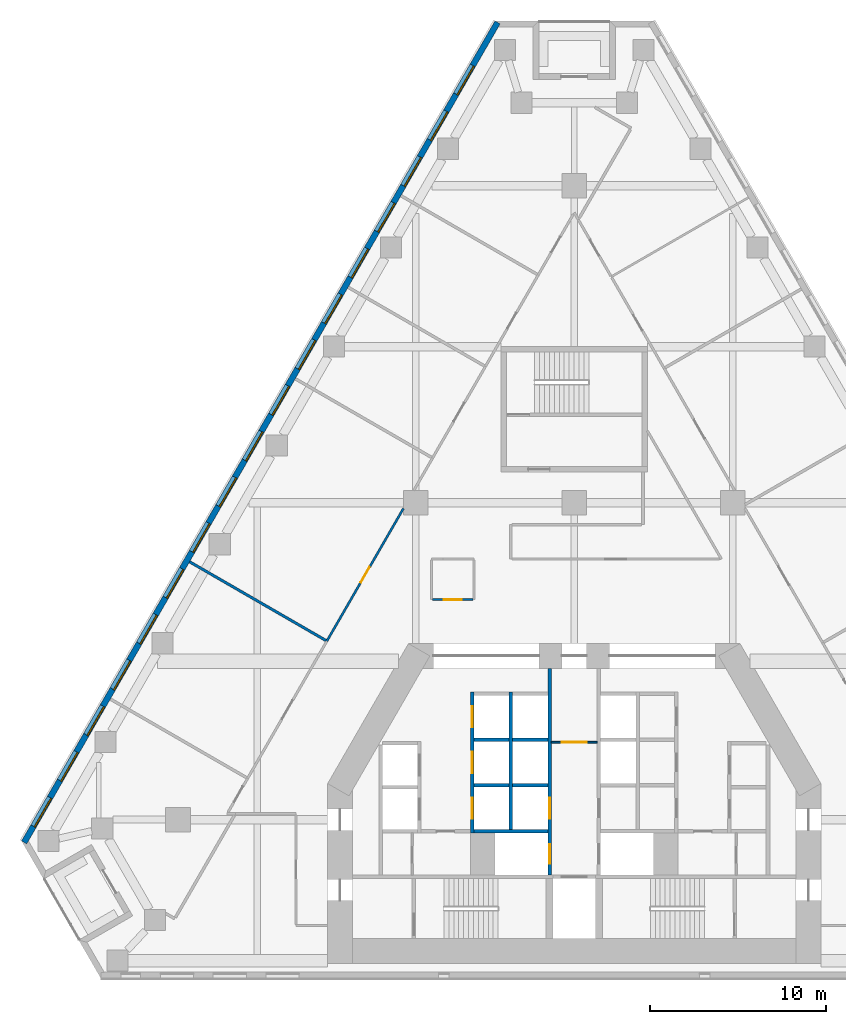
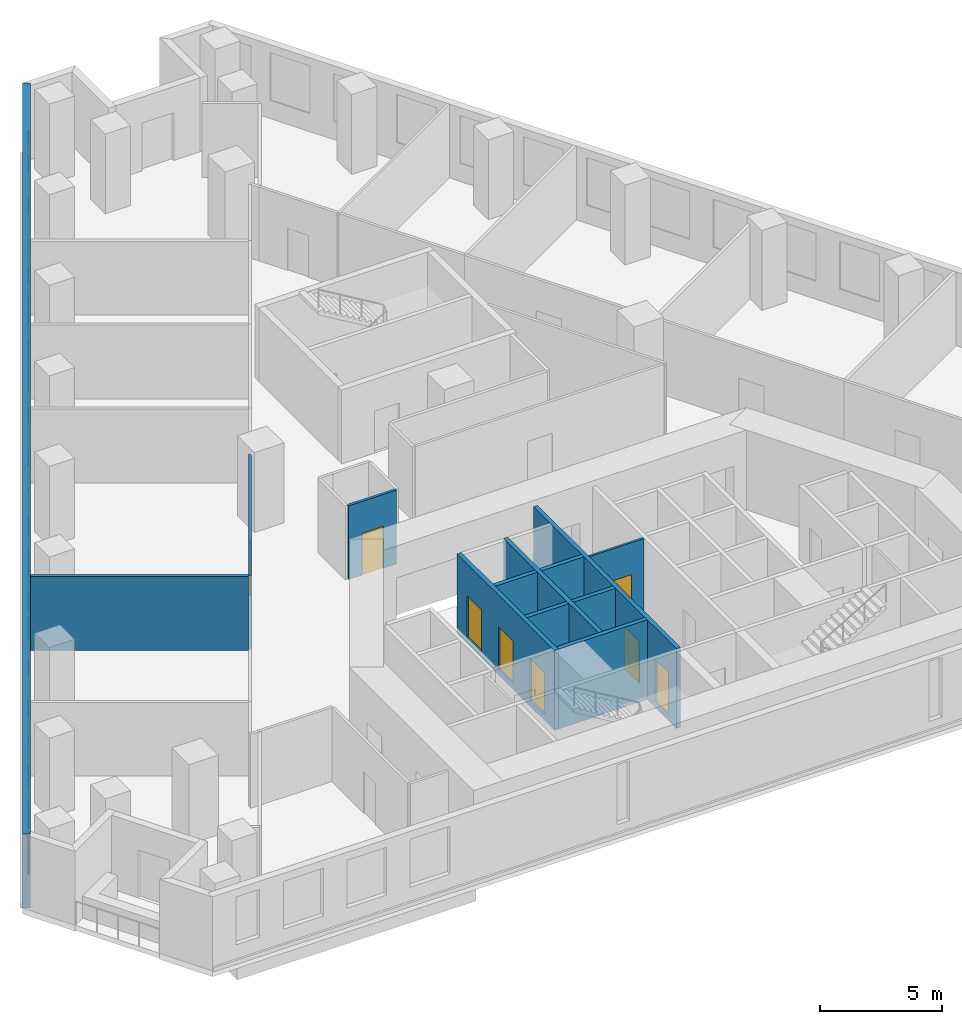
# One storey, part 4 of 9: 17 windows, 13 walls, 8 doors, 25 openings.
"""IFC4 building model written with IfcOpenShell, lengths in metres."""

from ifc_helpers import new_model, si_unit, direction, frame, frame_2d, origin, place, context, subcontext, project, spatial, rectangle, extrude, material, layer, layer_set, type_object, element, fill, save


model = new_model("IFC4")

# Units and contexts
model_context = context("Model", 3, precision=1e-05, world=origin(), true_north=direction((0.0, 1.0)))
body_context = subcontext(model_context, "Body", "Model", "MODEL_VIEW")
ifc_project = project(units=[si_unit("LENGTHUNIT", "METRE"), si_unit("AREAUNIT", "SQUARE_METRE"), si_unit("VOLUMEUNIT", "CUBIC_METRE"), si_unit("PLANEANGLEUNIT", "RADIAN"), si_unit("MASSUNIT", "GRAM", prefix="KILO")], contexts=[model_context])

# Site, building, storey
site_placement = place(None, origin())
site = spatial("IfcSite", under=ifc_project, at=site_placement, CompositionType="ELEMENT")
building_placement = place(site_placement, origin())
building = spatial("IfcBuilding", under=site, at=building_placement, Name="Fogline Exchange Tower", CompositionType="ELEMENT")
storey_placement = place(building_placement, frame((0.0, 0.0, 64.89990234375)))
storey = spatial("IfcBuildingStorey", under=building, at=storey_placement, Name="L13", CompositionType="ELEMENT", Elevation=64.89990234375)

# Wall, opening, door
ifc_material_1 = material(Name="Blockwork partition", Category="masonry")
ifc_layer_1 = layer(ifc_material_1, 0.10009765625)
ifc_layer_set_1 = layer_set([ifc_layer_1], Name="CW10")
wall_type_1 = type_object("IfcWallType", Name="CW10", PredefinedType="PARTITIONING", material=ifc_layer_set_1)
wall_1_placement = place(storey_placement, frame((-1.300048828125, 13.39990234375, 0.0), z_axis=(0.0, 0.0, 1.0), x_axis=(1.0, 0.0, 0.0)))
wall_1 = element("IfcWall", 1, at=wall_1_placement, inside=storey, type_object=wall_type_1, Name="Lift lobby partition", PredefinedType="PARTITIONING", context=body_context, shape_type="SweptSolid", body=[
    extrude(rectangle(XDim=2.60009765625, YDim=0.10009765625, at=frame_2d((1.300048828125, 0.0))), origin(), (0.0, 0.0, 1.0), 3.7001953125),
])
opening_1_placement = place(wall_1_placement, frame((0.60009765625, 0.0, 0.0)))
opening_1 = element("IfcOpeningElement", 2, at=opening_1_placement, cuts=wall_1, Name="Opening T04-C017", PredefinedType="OPENING", context=body_context, shape_type="SweptSolid", body=[
    extrude(rectangle(XDim=1.39990234375, YDim=2.10009765625, at=frame_2d((0.699951171875, 1.050048828125))), frame((0.0, 0.06005859375, 0.0), z_axis=(0.0, -1.0, 0.0), x_axis=(1.0, 0.0, 0.0)), (0.0, 0.0, 1.0), 0.1201171875),
])
ifc_material_2 = material(Name="Steel and timber fire door", Category="steel")
door_type_1 = type_object("IfcDoorType", Name="D-LB1", OperationType="DOUBLE_DOOR_SINGLE_SWING", PredefinedType="DOOR", material=ifc_material_2)
door_1_placement = place(opening_1_placement, origin())
door_1 = element("IfcDoor", 3, at=door_1_placement, inside=storey, type_object=door_type_1, Name="Door to firefighting lift lobby", OperationType="DOUBLE_DOOR_SINGLE_SWING", OverallHeight=2.10009765625, OverallWidth=1.39990234375, PredefinedType="DOOR", context=body_context, shape_type="SweptSolid", body=[
    extrude(rectangle(XDim=1.39990234375, YDim=2.10009765625, at=frame_2d((0.699951171875, 1.050048828125))), frame((0.0, 0.02490234375, 0.0), z_axis=(0.0, -1.0, 0.0), x_axis=(1.0, 0.0, 0.0)), (0.0, 0.0, 1.0), 0.050048828125),
])
fill(opening_1, door_1)

# Wall, openings, doors
ifc_material_3 = material(Name="Concrete C40", Category="concrete")
ifc_layer_2 = layer(ifc_material_3, 0.199951171875)
ifc_layer_set_2 = layer_set([ifc_layer_2], Name="CW20S")
wall_type_2 = type_object("IfcWallType", Name="CW20S", PredefinedType="SOLIDWALL", material=ifc_layer_set_2)
wall_2_placement = place(storey_placement, frame((-5.800048828125, 8.25, -0.2998046875), z_axis=(0.0, 0.0, 1.0), x_axis=(0.0, 1.0, 0.0)))
wall_2 = element("IfcWall", 4, at=wall_2_placement, inside=storey, type_object=wall_type_2, Name="Lift shaft wall", PredefinedType="SOLIDWALL", context=body_context, shape_type="SweptSolid", body=[
    extrude(rectangle(XDim=8.0, YDim=0.199951171875, at=frame_2d((4.0, 0.0))), origin(), (0.0, 0.0, 1.0), 4.0),
])
opening_2_placement = place(wall_2_placement, frame((0.800048828125, 0.0, 0.300048828125)))
opening_2 = element("IfcOpeningElement", 5, at=opening_2_placement, cuts=wall_2, Name="Opening T04-LD03", PredefinedType="OPENING", context=body_context, shape_type="SweptSolid", body=[
    extrude(rectangle(XDim=1.199951171875, YDim=2.10009765625, at=frame_2d((0.60009765625, 1.050048828125))), frame((0.0, 0.10986328125, 0.0), z_axis=(0.0, -1.0, 0.0), x_axis=(1.0, 0.0, 0.0)), (0.0, 0.0, 1.0), 0.219970703125),
])
opening_3_placement = place(wall_2_placement, frame((3.39990234375, 0.0, 0.300048828125)))
opening_3 = element("IfcOpeningElement", 6, at=opening_3_placement, cuts=wall_2, Name="Opening T04-LD04", PredefinedType="OPENING", context=body_context, shape_type="SweptSolid", body=[
    extrude(rectangle(XDim=1.199951171875, YDim=2.10009765625, at=frame_2d((0.60009765625, 1.050048828125))), frame((0.0, 0.10986328125, 0.0), z_axis=(0.0, -1.0, 0.0), x_axis=(1.0, 0.0, 0.0)), (0.0, 0.0, 1.0), 0.219970703125),
])
opening_4_placement = place(wall_2_placement, frame((6.0, 0.0, 0.300048828125)))
opening_4 = element("IfcOpeningElement", 7, at=opening_4_placement, cuts=wall_2, Name="Opening T04-LD05", PredefinedType="OPENING", context=body_context, shape_type="SweptSolid", body=[
    extrude(rectangle(XDim=1.199951171875, YDim=2.10009765625, at=frame_2d((0.60009765625, 1.050048828125))), frame((0.0, 0.10986328125, 0.0), z_axis=(0.0, -1.0, 0.0), x_axis=(1.0, 0.0, 0.0)), (0.0, 0.0, 1.0), 0.219970703125),
])
door_type_2 = type_object("IfcDoorType", Name="LD1", OperationType="SLIDING_TO_LEFT", PredefinedType="DOOR", material=ifc_material_2)
door_2_placement = place(opening_2_placement, origin())
door_2 = element("IfcDoor", 8, at=door_2_placement, inside=storey, type_object=door_type_2, Name="Landing door LR3", OperationType="SLIDING_TO_LEFT", OverallHeight=2.10009765625, OverallWidth=1.199951171875, PredefinedType="DOOR", context=body_context, shape_type="SweptSolid", body=[
    extrude(rectangle(XDim=1.199951171875, YDim=2.10009765625, at=frame_2d((0.60009765625, 1.050048828125))), frame((0.0, 0.02490234375, 0.0), z_axis=(0.0, -1.0, 0.0), x_axis=(1.0, 0.0, 0.0)), (0.0, 0.0, 1.0), 0.050048828125),
])
fill(opening_2, door_2)
door_3_placement = place(opening_3_placement, origin())
door_3 = element("IfcDoor", 9, at=door_3_placement, inside=storey, type_object=door_type_2, Name="Landing door LR4", OperationType="SLIDING_TO_LEFT", OverallHeight=2.10009765625, OverallWidth=1.199951171875, PredefinedType="DOOR", context=body_context, shape_type="SweptSolid", body=[
    extrude(rectangle(XDim=1.199951171875, YDim=2.10009765625, at=frame_2d((0.60009765625, 1.050048828125))), frame((0.0, 0.02490234375, 0.0), z_axis=(0.0, -1.0, 0.0), x_axis=(1.0, 0.0, 0.0)), (0.0, 0.0, 1.0), 0.050048828125),
])
fill(opening_3, door_3)
door_4_placement = place(opening_4_placement, origin())
door_4 = element("IfcDoor", 10, at=door_4_placement, inside=storey, type_object=door_type_2, Name="Landing door LR5", OperationType="SLIDING_TO_LEFT", OverallHeight=2.10009765625, OverallWidth=1.199951171875, PredefinedType="DOOR", context=body_context, shape_type="SweptSolid", body=[
    extrude(rectangle(XDim=1.199951171875, YDim=2.10009765625, at=frame_2d((0.60009765625, 1.050048828125))), frame((0.0, 0.02490234375, 0.0), z_axis=(0.0, -1.0, 0.0), x_axis=(1.0, 0.0, 0.0)), (0.0, 0.0, 1.0), 0.050048828125),
])
fill(opening_4, door_4)

# Wall
wall_3_placement = place(storey_placement, frame((-3.60009765625, 8.449951171875, -0.2998046875), z_axis=(0.0, 0.0, 1.0), x_axis=(0.0, 1.0, 0.0)))
element("IfcWall", 11, at=wall_3_placement, inside=storey, type_object=wall_type_2, Name="Lift shaft wall", PredefinedType="SOLIDWALL", context=body_context, shape_type="SweptSolid", body=[
    extrude(rectangle(XDim=7.800048828125, YDim=0.199951171875, at=frame_2d((3.89990234375, 0.0))), origin(), (0.0, 0.0, 1.0), 4.0),
])

# Wall, openings, doors
wall_4_placement = place(storey_placement, frame((-1.39990234375, 5.85009765625, -0.2998046875), z_axis=(0.0, 0.0, 1.0), x_axis=(0.0, 1.0, 0.0)))
wall_4 = element("IfcWall", 12, at=wall_4_placement, inside=storey, type_object=wall_type_2, Name="Lift lobby wall", PredefinedType="SOLIDWALL", context=body_context, shape_type="SweptSolid", body=[
    extrude(rectangle(XDim=11.75, YDim=0.199951171875, at=frame_2d((5.875, 0.0))), origin(), (0.0, 0.0, 1.0), 4.0),
])
opening_5_placement = place(wall_4_placement, frame((3.199951171875, 0.0, 0.300048828125)))
opening_5 = element("IfcOpeningElement", 13, at=opening_5_placement, cuts=wall_4, Name="Opening T04-LD06", PredefinedType="OPENING", context=body_context, shape_type="SweptSolid", body=[
    extrude(rectangle(XDim=1.199951171875, YDim=2.10009765625, at=frame_2d((0.60009765625, 1.050048828125))), frame((0.0, 0.10986328125, 0.0), z_axis=(0.0, -1.0, 0.0), x_axis=(1.0, 0.0, 0.0)), (0.0, 0.0, 1.0), 0.219970703125),
])
opening_6_placement = place(wall_4_placement, frame((0.64990234375, 0.0, 0.300048828125)))
opening_6 = element("IfcOpeningElement", 14, at=opening_6_placement, cuts=wall_4, Name="Opening T04-LD07", PredefinedType="OPENING", context=body_context, shape_type="SweptSolid", body=[
    extrude(rectangle(XDim=1.10009765625, YDim=2.10009765625, at=frame_2d((0.550048828125, 1.050048828125))), frame((0.0, 0.10986328125, 0.0), z_axis=(0.0, -1.0, 0.0), x_axis=(1.0, 0.0, 0.0)), (0.0, 0.0, 1.0), 0.219970703125),
])
door_5_placement = place(opening_5_placement, origin())
door_5 = element("IfcDoor", 15, at=door_5_placement, inside=storey, type_object=door_type_2, Name="Landing door LR6", OperationType="SLIDING_TO_LEFT", OverallHeight=2.10009765625, OverallWidth=1.199951171875, PredefinedType="DOOR", context=body_context, shape_type="SweptSolid", body=[
    extrude(rectangle(XDim=1.199951171875, YDim=2.10009765625, at=frame_2d((0.60009765625, 1.050048828125))), frame((0.0, 0.02490234375, 0.0), z_axis=(0.0, -1.0, 0.0), x_axis=(1.0, 0.0, 0.0)), (0.0, 0.0, 1.0), 0.050048828125),
])
fill(opening_5, door_5)
door_type_3 = type_object("IfcDoorType", Name="LD2", OperationType="SLIDING_TO_RIGHT", PredefinedType="DOOR", material=ifc_material_2)
door_6_placement = place(opening_6_placement, origin())
door_6 = element("IfcDoor", 16, at=door_6_placement, inside=storey, type_object=door_type_3, Name="Landing door FF1", OperationType="SLIDING_TO_RIGHT", OverallHeight=2.10009765625, OverallWidth=1.10009765625, PredefinedType="DOOR", context=body_context, shape_type="SweptSolid", body=[
    extrude(rectangle(XDim=1.10009765625, YDim=2.10009765625, at=frame_2d((0.550048828125, 1.050048828125))), frame((0.0, 0.02490234375, 0.0), z_axis=(0.0, -1.0, 0.0), x_axis=(1.0, 0.0, 0.0)), (0.0, 0.0, 1.0), 0.050048828125),
])
fill(opening_6, door_6)

# Walls
wall_5_placement = place(storey_placement, frame((-5.699951171875, 8.35009765625, -0.2998046875), z_axis=(0.0, 0.0, 1.0), x_axis=(1.0, 0.0, 0.0)))
element("IfcWall", 17, at=wall_5_placement, inside=storey, type_object=wall_type_2, Name="Lift shaft wall", PredefinedType="SOLIDWALL", context=body_context, shape_type="SweptSolid", body=[
    extrude(rectangle(XDim=4.199951171875, YDim=0.199951171875, at=frame_2d((2.10009765625, 0.0))), origin(), (0.0, 0.0, 1.0), 4.0),
])
for number, where, z_axis, x_axis, name in (
    (18, (-5.699951171875, 10.949951171875, -0.2998046875), (0.0, 0.0, 1.0), (1.0, 0.0, 0.0), "Lift shaft wall"),
    (19, (-5.699951171875, 13.550048828125, -0.2998046875), (0.0, 0.0, 1.0), (1.0, 0.0, 0.0), "Lift shaft wall"),
    (20, (-3.5, 10.949951171875, -0.2998046875), (0.0, 0.0, 1.0), (1.0, 0.0, 0.0), "Lift shaft wall"),
    (21, (-3.5, 13.550048828125, -0.2998046875), (0.0, 0.0, 1.0), (1.0, 0.0, 0.0), "Lift shaft wall"),
):
    element("IfcWall", number, at=place(storey_placement, frame(where, z_axis=z_axis, x_axis=x_axis)), inside=storey, type_object=wall_type_2, Name=name, PredefinedType="SOLIDWALL", context=body_context, shape_type="SweptSolid", body=[
        extrude(rectangle(XDim=2.0, YDim=0.199951171875, at=frame_2d((1.0, 0.0))), origin(), (0.0, 0.0, 1.0), 4.0),
    ])

# Wall, openings, windows
ifc_material_4 = material(Name="Brick masonry", Category="masonry")
ifc_layer_3 = layer(ifc_material_4, 0.340087890625)
ifc_layer_set_3 = layer_set([ifc_layer_3], Name="FW1")
wall_type_3 = type_object("IfcWallType", Name="FW1", PredefinedType="SOLIDWALL", material=ifc_layer_set_3)
wall_6_placement = place(storey_placement, frame((-4.352783203125, 54.271728515625, 0.0), z_axis=(0.0, 0.0, 1.0), x_axis=(-0.499999171277, -0.866025882247, 0.0)))
wall_6 = element("IfcWall", 22, at=wall_6_placement, inside=storey, type_object=wall_type_3, Name="Brick wall L13 W", PredefinedType="SOLIDWALL", context=body_context, shape_type="SweptSolid", body=[
    extrude(rectangle(XDim=53.765625, YDim=0.340087890625, at=frame_2d((26.8828125, 0.0))), origin(), (0.0, 0.0, 1.0), 3.7001953125),
])
opening_7_placement = place(wall_6_placement, frame((2.82421875, 0.0, 0.89990234375)))
opening_7 = element("IfcOpeningElement", 23, at=opening_7_placement, cuts=wall_6, Name="Opening W1", PredefinedType="OPENING", context=body_context, shape_type="SweptSolid", body=[
    extrude(rectangle(XDim=1.885009765625, YDim=2.39990234375, at=frame_2d((0.9423828125, 1.199951171875))), frame((0.0, 0.18017578125, 0.0), z_axis=(0.0, -1.0, 0.0), x_axis=(1.0, 0.0, 0.0)), (0.0, 0.0, 1.0), 0.360107421875),
])
opening_8_placement = place(wall_6_placement, frame((5.82421875, 0.0, 0.89990234375)))
opening_8 = element("IfcOpeningElement", 24, at=opening_8_placement, cuts=wall_6, Name="Opening W1", PredefinedType="OPENING", context=body_context, shape_type="SweptSolid", body=[
    extrude(rectangle(XDim=1.885009765625, YDim=2.39990234375, at=frame_2d((0.9423828125, 1.199951171875))), frame((0.0, 0.18017578125, 0.0), z_axis=(0.0, -1.0, 0.0), x_axis=(1.0, 0.0, 0.0)), (0.0, 0.0, 1.0), 0.360107421875),
])
opening_9_placement = place(wall_6_placement, frame((8.82421875, 0.0, 0.89990234375)))
opening_9 = element("IfcOpeningElement", 25, at=opening_9_placement, cuts=wall_6, Name="Opening W1", PredefinedType="OPENING", context=body_context, shape_type="SweptSolid", body=[
    extrude(rectangle(XDim=1.885009765625, YDim=2.39990234375, at=frame_2d((0.9423828125, 1.199951171875))), frame((0.0, 0.18017578125, 0.0), z_axis=(0.0, -1.0, 0.0), x_axis=(1.0, 0.0, 0.0)), (0.0, 0.0, 1.0), 0.360107421875),
])
opening_10_placement = place(wall_6_placement, frame((11.82421875, 0.0, 0.89990234375)))
opening_10 = element("IfcOpeningElement", 26, at=opening_10_placement, cuts=wall_6, Name="Opening W1", PredefinedType="OPENING", context=body_context, shape_type="SweptSolid", body=[
    extrude(rectangle(XDim=1.885009765625, YDim=2.39990234375, at=frame_2d((0.9423828125, 1.199951171875))), frame((0.0, 0.18017578125, 0.0), z_axis=(0.0, -1.0, 0.0), x_axis=(1.0, 0.0, 0.0)), (0.0, 0.0, 1.0), 0.360107421875),
])
opening_11_placement = place(wall_6_placement, frame((14.82421875, 0.0, 0.89990234375)))
opening_11 = element("IfcOpeningElement", 27, at=opening_11_placement, cuts=wall_6, Name="Opening W1", PredefinedType="OPENING", context=body_context, shape_type="SweptSolid", body=[
    extrude(rectangle(XDim=1.885009765625, YDim=2.39990234375, at=frame_2d((0.9423828125, 1.199951171875))), frame((0.0, 0.18017578125, 0.0), z_axis=(0.0, -1.0, 0.0), x_axis=(1.0, 0.0, 0.0)), (0.0, 0.0, 1.0), 0.360107421875),
])
opening_12_placement = place(wall_6_placement, frame((17.82421875, 0.0, 0.89990234375)))
opening_12 = element("IfcOpeningElement", 28, at=opening_12_placement, cuts=wall_6, Name="Opening W1", PredefinedType="OPENING", context=body_context, shape_type="SweptSolid", body=[
    extrude(rectangle(XDim=1.885009765625, YDim=2.39990234375, at=frame_2d((0.9423828125, 1.199951171875))), frame((0.0, 0.18017578125, 0.0), z_axis=(0.0, -1.0, 0.0), x_axis=(1.0, 0.0, 0.0)), (0.0, 0.0, 1.0), 0.360107421875),
])
opening_13_placement = place(wall_6_placement, frame((20.82421875, 0.0, 0.89990234375)))
opening_13 = element("IfcOpeningElement", 29, at=opening_13_placement, cuts=wall_6, Name="Opening W1", PredefinedType="OPENING", context=body_context, shape_type="SweptSolid", body=[
    extrude(rectangle(XDim=1.885009765625, YDim=2.39990234375, at=frame_2d((0.9423828125, 1.199951171875))), frame((0.0, 0.18017578125, 0.0), z_axis=(0.0, -1.0, 0.0), x_axis=(1.0, 0.0, 0.0)), (0.0, 0.0, 1.0), 0.360107421875),
])
opening_14_placement = place(wall_6_placement, frame((23.82421875, 0.0, 0.89990234375)))
opening_14 = element("IfcOpeningElement", 30, at=opening_14_placement, cuts=wall_6, Name="Opening W1", PredefinedType="OPENING", context=body_context, shape_type="SweptSolid", body=[
    extrude(rectangle(XDim=1.885009765625, YDim=2.39990234375, at=frame_2d((0.9423828125, 1.199951171875))), frame((0.0, 0.18017578125, 0.0), z_axis=(0.0, -1.0, 0.0), x_axis=(1.0, 0.0, 0.0)), (0.0, 0.0, 1.0), 0.360107421875),
])
opening_15_placement = place(wall_6_placement, frame((26.82421875, 0.0, 0.89990234375)))
opening_15 = element("IfcOpeningElement", 31, at=opening_15_placement, cuts=wall_6, Name="Opening W1", PredefinedType="OPENING", context=body_context, shape_type="SweptSolid", body=[
    extrude(rectangle(XDim=1.885009765625, YDim=2.39990234375, at=frame_2d((0.9423828125, 1.199951171875))), frame((0.0, 0.18017578125, 0.0), z_axis=(0.0, -1.0, 0.0), x_axis=(1.0, 0.0, 0.0)), (0.0, 0.0, 1.0), 0.360107421875),
])
opening_16_placement = place(wall_6_placement, frame((29.82421875, 0.0, 0.89990234375)))
opening_16 = element("IfcOpeningElement", 32, at=opening_16_placement, cuts=wall_6, Name="Opening W1", PredefinedType="OPENING", context=body_context, shape_type="SweptSolid", body=[
    extrude(rectangle(XDim=1.885009765625, YDim=2.39990234375, at=frame_2d((0.9423828125, 1.199951171875))), frame((0.0, 0.18017578125, 0.0), z_axis=(0.0, -1.0, 0.0), x_axis=(1.0, 0.0, 0.0)), (0.0, 0.0, 1.0), 0.360107421875),
])
opening_17_placement = place(wall_6_placement, frame((32.82421875, 0.0, 0.89990234375)))
opening_17 = element("IfcOpeningElement", 33, at=opening_17_placement, cuts=wall_6, Name="Opening W1", PredefinedType="OPENING", context=body_context, shape_type="SweptSolid", body=[
    extrude(rectangle(XDim=1.885009765625, YDim=2.39990234375, at=frame_2d((0.9423828125, 1.199951171875))), frame((0.0, 0.18017578125, 0.0), z_axis=(0.0, -1.0, 0.0), x_axis=(1.0, 0.0, 0.0)), (0.0, 0.0, 1.0), 0.360107421875),
])
opening_18_placement = place(wall_6_placement, frame((35.82421875, 0.0, 0.89990234375)))
opening_18 = element("IfcOpeningElement", 34, at=opening_18_placement, cuts=wall_6, Name="Opening W1", PredefinedType="OPENING", context=body_context, shape_type="SweptSolid", body=[
    extrude(rectangle(XDim=1.885009765625, YDim=2.39990234375, at=frame_2d((0.9423828125, 1.199951171875))), frame((0.0, 0.18017578125, 0.0), z_axis=(0.0, -1.0, 0.0), x_axis=(1.0, 0.0, 0.0)), (0.0, 0.0, 1.0), 0.360107421875),
])
opening_19_placement = place(wall_6_placement, frame((38.82421875, 0.0, 0.89990234375)))
opening_19 = element("IfcOpeningElement", 35, at=opening_19_placement, cuts=wall_6, Name="Opening W1", PredefinedType="OPENING", context=body_context, shape_type="SweptSolid", body=[
    extrude(rectangle(XDim=1.885009765625, YDim=2.39990234375, at=frame_2d((0.9423828125, 1.199951171875))), frame((0.0, 0.18017578125, 0.0), z_axis=(0.0, -1.0, 0.0), x_axis=(1.0, 0.0, 0.0)), (0.0, 0.0, 1.0), 0.360107421875),
])
opening_20_placement = place(wall_6_placement, frame((41.82421875, 0.0, 0.89990234375)))
opening_20 = element("IfcOpeningElement", 36, at=opening_20_placement, cuts=wall_6, Name="Opening W1", PredefinedType="OPENING", context=body_context, shape_type="SweptSolid", body=[
    extrude(rectangle(XDim=1.885009765625, YDim=2.39990234375, at=frame_2d((0.9423828125, 1.199951171875))), frame((0.0, 0.18017578125, 0.0), z_axis=(0.0, -1.0, 0.0), x_axis=(1.0, 0.0, 0.0)), (0.0, 0.0, 1.0), 0.360107421875),
])
opening_21_placement = place(wall_6_placement, frame((44.82421875, 0.0, 0.89990234375)))
opening_21 = element("IfcOpeningElement", 37, at=opening_21_placement, cuts=wall_6, Name="Opening W1", PredefinedType="OPENING", context=body_context, shape_type="SweptSolid", body=[
    extrude(rectangle(XDim=1.885009765625, YDim=2.39990234375, at=frame_2d((0.9423828125, 1.199951171875))), frame((0.0, 0.18017578125, 0.0), z_axis=(0.0, -1.0, 0.0), x_axis=(1.0, 0.0, 0.0)), (0.0, 0.0, 1.0), 0.360107421875),
])
opening_22_placement = place(wall_6_placement, frame((47.82421875, 0.0, 0.89990234375)))
opening_22 = element("IfcOpeningElement", 38, at=opening_22_placement, cuts=wall_6, Name="Opening W1", PredefinedType="OPENING", context=body_context, shape_type="SweptSolid", body=[
    extrude(rectangle(XDim=1.885009765625, YDim=2.39990234375, at=frame_2d((0.9423828125, 1.199951171875))), frame((0.0, 0.18017578125, 0.0), z_axis=(0.0, -1.0, 0.0), x_axis=(1.0, 0.0, 0.0)), (0.0, 0.0, 1.0), 0.360107421875),
])
opening_23_placement = place(wall_6_placement, frame((50.82421875, 0.0, 0.89990234375)))
opening_23 = element("IfcOpeningElement", 39, at=opening_23_placement, cuts=wall_6, Name="Opening W1", PredefinedType="OPENING", context=body_context, shape_type="SweptSolid", body=[
    extrude(rectangle(XDim=1.885009765625, YDim=2.39990234375, at=frame_2d((0.9423828125, 1.199951171875))), frame((0.0, 0.18017578125, 0.0), z_axis=(0.0, -1.0, 0.0), x_axis=(1.0, 0.0, 0.0)), (0.0, 0.0, 1.0), 0.360107421875),
])
ifc_material_5 = material(Name="Aluminium and glass", Category="aluminium")
window_type = type_object("IfcWindowType", Name="W1", PartitioningType="SINGLE_PANEL", PredefinedType="WINDOW", material=ifc_material_5)
window_1_placement = place(opening_7_placement, origin())
window_1 = element("IfcWindow", 40, at=window_1_placement, inside=storey, type_object=window_type, Name="W1 W1", OverallHeight=2.39990234375, OverallWidth=1.885009765625, PartitioningType="SINGLE_PANEL", PredefinedType="WINDOW", context=body_context, shape_type="SweptSolid", body=[
    extrude(rectangle(XDim=1.885009765625, YDim=2.39990234375, at=frame_2d((0.9423828125, 1.199951171875))), frame((0.0, 0.110107421875, 0.0), z_axis=(0.0, -1.0, 0.0), x_axis=(1.0, 0.0, 0.0)), (0.0, 0.0, 1.0), 0.06005859375),
])
fill(opening_7, window_1)
window_2_placement = place(opening_8_placement, origin())
window_2 = element("IfcWindow", 41, at=window_2_placement, inside=storey, type_object=window_type, Name="W1 W1", OverallHeight=2.39990234375, OverallWidth=1.885009765625, PartitioningType="SINGLE_PANEL", PredefinedType="WINDOW", context=body_context, shape_type="SweptSolid", body=[
    extrude(rectangle(XDim=1.885009765625, YDim=2.39990234375, at=frame_2d((0.9423828125, 1.199951171875))), frame((0.0, 0.110107421875, 0.0), z_axis=(0.0, -1.0, 0.0), x_axis=(1.0, 0.0, 0.0)), (0.0, 0.0, 1.0), 0.06005859375),
])
fill(opening_8, window_2)
window_3_placement = place(opening_9_placement, origin())
window_3 = element("IfcWindow", 42, at=window_3_placement, inside=storey, type_object=window_type, Name="W1 W1", OverallHeight=2.39990234375, OverallWidth=1.885009765625, PartitioningType="SINGLE_PANEL", PredefinedType="WINDOW", context=body_context, shape_type="SweptSolid", body=[
    extrude(rectangle(XDim=1.885009765625, YDim=2.39990234375, at=frame_2d((0.9423828125, 1.199951171875))), frame((0.0, 0.110107421875, 0.0), z_axis=(0.0, -1.0, 0.0), x_axis=(1.0, 0.0, 0.0)), (0.0, 0.0, 1.0), 0.06005859375),
])
fill(opening_9, window_3)
window_4_placement = place(opening_10_placement, origin())
window_4 = element("IfcWindow", 43, at=window_4_placement, inside=storey, type_object=window_type, Name="W1 W1", OverallHeight=2.39990234375, OverallWidth=1.885009765625, PartitioningType="SINGLE_PANEL", PredefinedType="WINDOW", context=body_context, shape_type="SweptSolid", body=[
    extrude(rectangle(XDim=1.885009765625, YDim=2.39990234375, at=frame_2d((0.9423828125, 1.199951171875))), frame((0.0, 0.110107421875, 0.0), z_axis=(0.0, -1.0, 0.0), x_axis=(1.0, 0.0, 0.0)), (0.0, 0.0, 1.0), 0.06005859375),
])
fill(opening_10, window_4)
window_5_placement = place(opening_11_placement, origin())
window_5 = element("IfcWindow", 44, at=window_5_placement, inside=storey, type_object=window_type, Name="W1 W1", OverallHeight=2.39990234375, OverallWidth=1.885009765625, PartitioningType="SINGLE_PANEL", PredefinedType="WINDOW", context=body_context, shape_type="SweptSolid", body=[
    extrude(rectangle(XDim=1.885009765625, YDim=2.39990234375, at=frame_2d((0.9423828125, 1.199951171875))), frame((0.0, 0.110107421875, 0.0), z_axis=(0.0, -1.0, 0.0), x_axis=(1.0, 0.0, 0.0)), (0.0, 0.0, 1.0), 0.06005859375),
])
fill(opening_11, window_5)
window_6_placement = place(opening_12_placement, origin())
window_6 = element("IfcWindow", 45, at=window_6_placement, inside=storey, type_object=window_type, Name="W1 W1", OverallHeight=2.39990234375, OverallWidth=1.885009765625, PartitioningType="SINGLE_PANEL", PredefinedType="WINDOW", context=body_context, shape_type="SweptSolid", body=[
    extrude(rectangle(XDim=1.885009765625, YDim=2.39990234375, at=frame_2d((0.9423828125, 1.199951171875))), frame((0.0, 0.110107421875, 0.0), z_axis=(0.0, -1.0, 0.0), x_axis=(1.0, 0.0, 0.0)), (0.0, 0.0, 1.0), 0.06005859375),
])
fill(opening_12, window_6)
window_7_placement = place(opening_13_placement, origin())
window_7 = element("IfcWindow", 46, at=window_7_placement, inside=storey, type_object=window_type, Name="W1 W1", OverallHeight=2.39990234375, OverallWidth=1.885009765625, PartitioningType="SINGLE_PANEL", PredefinedType="WINDOW", context=body_context, shape_type="SweptSolid", body=[
    extrude(rectangle(XDim=1.885009765625, YDim=2.39990234375, at=frame_2d((0.9423828125, 1.199951171875))), frame((0.0, 0.110107421875, 0.0), z_axis=(0.0, -1.0, 0.0), x_axis=(1.0, 0.0, 0.0)), (0.0, 0.0, 1.0), 0.06005859375),
])
fill(opening_13, window_7)
window_8_placement = place(opening_14_placement, origin())
window_8 = element("IfcWindow", 47, at=window_8_placement, inside=storey, type_object=window_type, Name="W1 W1", OverallHeight=2.39990234375, OverallWidth=1.885009765625, PartitioningType="SINGLE_PANEL", PredefinedType="WINDOW", context=body_context, shape_type="SweptSolid", body=[
    extrude(rectangle(XDim=1.885009765625, YDim=2.39990234375, at=frame_2d((0.9423828125, 1.199951171875))), frame((0.0, 0.110107421875, 0.0), z_axis=(0.0, -1.0, 0.0), x_axis=(1.0, 0.0, 0.0)), (0.0, 0.0, 1.0), 0.06005859375),
])
fill(opening_14, window_8)
window_9_placement = place(opening_15_placement, origin())
window_9 = element("IfcWindow", 48, at=window_9_placement, inside=storey, type_object=window_type, Name="W1 W1", OverallHeight=2.39990234375, OverallWidth=1.885009765625, PartitioningType="SINGLE_PANEL", PredefinedType="WINDOW", context=body_context, shape_type="SweptSolid", body=[
    extrude(rectangle(XDim=1.885009765625, YDim=2.39990234375, at=frame_2d((0.9423828125, 1.199951171875))), frame((0.0, 0.110107421875, 0.0), z_axis=(0.0, -1.0, 0.0), x_axis=(1.0, 0.0, 0.0)), (0.0, 0.0, 1.0), 0.06005859375),
])
fill(opening_15, window_9)
window_10_placement = place(opening_16_placement, origin())
window_10 = element("IfcWindow", 49, at=window_10_placement, inside=storey, type_object=window_type, Name="W1 W1", OverallHeight=2.39990234375, OverallWidth=1.885009765625, PartitioningType="SINGLE_PANEL", PredefinedType="WINDOW", context=body_context, shape_type="SweptSolid", body=[
    extrude(rectangle(XDim=1.885009765625, YDim=2.39990234375, at=frame_2d((0.9423828125, 1.199951171875))), frame((0.0, 0.110107421875, 0.0), z_axis=(0.0, -1.0, 0.0), x_axis=(1.0, 0.0, 0.0)), (0.0, 0.0, 1.0), 0.06005859375),
])
fill(opening_16, window_10)
window_11_placement = place(opening_17_placement, origin())
window_11 = element("IfcWindow", 50, at=window_11_placement, inside=storey, type_object=window_type, Name="W1 W1", OverallHeight=2.39990234375, OverallWidth=1.885009765625, PartitioningType="SINGLE_PANEL", PredefinedType="WINDOW", context=body_context, shape_type="SweptSolid", body=[
    extrude(rectangle(XDim=1.885009765625, YDim=2.39990234375, at=frame_2d((0.9423828125, 1.199951171875))), frame((0.0, 0.110107421875, 0.0), z_axis=(0.0, -1.0, 0.0), x_axis=(1.0, 0.0, 0.0)), (0.0, 0.0, 1.0), 0.06005859375),
])
fill(opening_17, window_11)
window_12_placement = place(opening_18_placement, origin())
window_12 = element("IfcWindow", 51, at=window_12_placement, inside=storey, type_object=window_type, Name="W1 W1", OverallHeight=2.39990234375, OverallWidth=1.885009765625, PartitioningType="SINGLE_PANEL", PredefinedType="WINDOW", context=body_context, shape_type="SweptSolid", body=[
    extrude(rectangle(XDim=1.885009765625, YDim=2.39990234375, at=frame_2d((0.9423828125, 1.199951171875))), frame((0.0, 0.110107421875, 0.0), z_axis=(0.0, -1.0, 0.0), x_axis=(1.0, 0.0, 0.0)), (0.0, 0.0, 1.0), 0.06005859375),
])
fill(opening_18, window_12)
window_13_placement = place(opening_19_placement, origin())
window_13 = element("IfcWindow", 52, at=window_13_placement, inside=storey, type_object=window_type, Name="W1 W1", OverallHeight=2.39990234375, OverallWidth=1.885009765625, PartitioningType="SINGLE_PANEL", PredefinedType="WINDOW", context=body_context, shape_type="SweptSolid", body=[
    extrude(rectangle(XDim=1.885009765625, YDim=2.39990234375, at=frame_2d((0.9423828125, 1.199951171875))), frame((0.0, 0.110107421875, 0.0), z_axis=(0.0, -1.0, 0.0), x_axis=(1.0, 0.0, 0.0)), (0.0, 0.0, 1.0), 0.06005859375),
])
fill(opening_19, window_13)
window_14_placement = place(opening_20_placement, origin())
window_14 = element("IfcWindow", 53, at=window_14_placement, inside=storey, type_object=window_type, Name="W1 W1", OverallHeight=2.39990234375, OverallWidth=1.885009765625, PartitioningType="SINGLE_PANEL", PredefinedType="WINDOW", context=body_context, shape_type="SweptSolid", body=[
    extrude(rectangle(XDim=1.885009765625, YDim=2.39990234375, at=frame_2d((0.9423828125, 1.199951171875))), frame((0.0, 0.110107421875, 0.0), z_axis=(0.0, -1.0, 0.0), x_axis=(1.0, 0.0, 0.0)), (0.0, 0.0, 1.0), 0.06005859375),
])
fill(opening_20, window_14)
window_15_placement = place(opening_21_placement, origin())
window_15 = element("IfcWindow", 54, at=window_15_placement, inside=storey, type_object=window_type, Name="W1 W1", OverallHeight=2.39990234375, OverallWidth=1.885009765625, PartitioningType="SINGLE_PANEL", PredefinedType="WINDOW", context=body_context, shape_type="SweptSolid", body=[
    extrude(rectangle(XDim=1.885009765625, YDim=2.39990234375, at=frame_2d((0.9423828125, 1.199951171875))), frame((0.0, 0.110107421875, 0.0), z_axis=(0.0, -1.0, 0.0), x_axis=(1.0, 0.0, 0.0)), (0.0, 0.0, 1.0), 0.06005859375),
])
fill(opening_21, window_15)
window_16_placement = place(opening_22_placement, origin())
window_16 = element("IfcWindow", 55, at=window_16_placement, inside=storey, type_object=window_type, Name="W1 W1", OverallHeight=2.39990234375, OverallWidth=1.885009765625, PartitioningType="SINGLE_PANEL", PredefinedType="WINDOW", context=body_context, shape_type="SweptSolid", body=[
    extrude(rectangle(XDim=1.885009765625, YDim=2.39990234375, at=frame_2d((0.9423828125, 1.199951171875))), frame((0.0, 0.110107421875, 0.0), z_axis=(0.0, -1.0, 0.0), x_axis=(1.0, 0.0, 0.0)), (0.0, 0.0, 1.0), 0.06005859375),
])
fill(opening_22, window_16)
window_17_placement = place(opening_23_placement, origin())
window_17 = element("IfcWindow", 56, at=window_17_placement, inside=storey, type_object=window_type, Name="W1 W1", OverallHeight=2.39990234375, OverallWidth=1.885009765625, PartitioningType="SINGLE_PANEL", PredefinedType="WINDOW", context=body_context, shape_type="SweptSolid", body=[
    extrude(rectangle(XDim=1.885009765625, YDim=2.39990234375, at=frame_2d((0.9423828125, 1.199951171875))), frame((0.0, 0.110107421875, 0.0), z_axis=(0.0, -1.0, 0.0), x_axis=(1.0, 0.0, 0.0)), (0.0, 0.0, 1.0), 0.06005859375),
])
fill(opening_23, window_17)

# Wall, opening, door
ifc_material_6 = material(Name="Plasterboard corridor partition with mineral wool, 2 layers each side")
ifc_layer_4 = layer(ifc_material_6, 0.125)
ifc_layer_set_4 = layer_set([ifc_layer_4], Name="PW2")
wall_type_4 = type_object("IfcWallType", Name="PW2", PredefinedType="PARTITIONING", material=ifc_layer_set_4)
wall_7_placement = place(storey_placement, frame((-8.03759765625, 21.5, 0.0), z_axis=(0.0, 0.0, 1.0), x_axis=(1.0, 0.0, 0.0)))
wall_7 = element("IfcWall", 57, at=wall_7_placement, inside=storey, type_object=wall_type_4, Name="wall-L13-W005", PredefinedType="PARTITIONING", context=body_context, shape_type="SweptSolid", body=[
    extrude(rectangle(XDim=2.275146484375, YDim=0.125, at=frame_2d((1.1376953125, 0.0))), origin(), (0.0, 0.0, 1.0), 3.7001953125),
])
opening_24_placement = place(wall_7_placement, frame((0.637451171875, 0.0, 0.0)))
opening_24 = element("IfcOpeningElement", 58, at=opening_24_placement, cuts=wall_7, Name="Opening T04-D003", PredefinedType="OPENING", context=body_context, shape_type="SweptSolid", body=[
    extrude(rectangle(XDim=1.0, YDim=2.10009765625, at=frame_2d((0.5, 1.050048828125))), frame((0.0, 0.072509765625, 0.0), z_axis=(0.0, -1.0, 0.0), x_axis=(1.0, 0.0, 0.0)), (0.0, 0.0, 1.0), 0.14501953125),
])
ifc_material_7 = material(Name="Fire-rated timber door leaf with steel frame", Category="steel")
door_type_4 = type_object("IfcDoorType", Name="D3", OperationType="SINGLE_SWING_LEFT", PredefinedType="DOOR", material=ifc_material_7)
door_7_placement = place(opening_24_placement, origin())
door_7 = element("IfcDoor", 59, at=door_7_placement, inside=storey, type_object=door_type_4, Name="door-L13-D003", OperationType="SINGLE_SWING_LEFT", OverallHeight=2.10009765625, OverallWidth=1.0, PredefinedType="DOOR", context=body_context, shape_type="SweptSolid", body=[
    extrude(rectangle(XDim=1.0, YDim=2.10009765625, at=frame_2d((0.5, 1.050048828125))), frame((0.0, 0.02490234375, 0.0), z_axis=(0.0, -1.0, 0.0), x_axis=(1.0, 0.0, 0.0)), (0.0, 0.0, 1.0), 0.050048828125),
])
fill(opening_24, door_7)

wall_8_placement = place(storey_placement, frame((-14.044677734375, 19.144775390625, 0.0), z_axis=(0.0, 0.0, 1.0), x_axis=(0.500007009791, 0.866021356642, 0.0)))
wall_8 = element("IfcWall", 60, at=wall_8_placement, inside=storey, type_object=wall_type_4, Name="wall-L13-W018", PredefinedType="PARTITIONING", context=body_context, shape_type="SweptSolid", body=[
    extrude(rectangle(XDim=8.689453125, YDim=0.125, at=frame_2d((4.3447265625, 0.0))), origin(), (0.0, 0.0, 1.0), 3.7001953125),
])
opening_25_placement = place(wall_8_placement, frame((3.8447265625, 0.0, 0.0)))
opening_25 = element("IfcOpeningElement", 61, at=opening_25_placement, cuts=wall_8, Name="Opening T04-D012", PredefinedType="OPENING", context=body_context, shape_type="SweptSolid", body=[
    extrude(rectangle(XDim=1.0, YDim=2.10009765625, at=frame_2d((0.5, 1.050048828125))), frame((0.0, 0.072509765625, 0.0), z_axis=(0.0, -1.0, 0.0), x_axis=(1.0, 0.0, 0.0)), (0.0, 0.0, 1.0), 0.14501953125),
])
door_8_placement = place(opening_25_placement, origin())
door_8 = element("IfcDoor", 62, at=door_8_placement, inside=storey, type_object=door_type_4, Name="door-L13-D012", OperationType="SINGLE_SWING_LEFT", OverallHeight=2.10009765625, OverallWidth=1.0, PredefinedType="DOOR", context=body_context, shape_type="SweptSolid", body=[
    extrude(rectangle(XDim=1.0, YDim=2.10009765625, at=frame_2d((0.5, 1.050048828125))), frame((0.0, 0.02490234375, 0.0), z_axis=(0.0, -1.0, 0.0), x_axis=(1.0, 0.0, 0.0)), (0.0, 0.0, 1.0), 0.050048828125),
])
fill(opening_25, door_8)

# Wall
ifc_material_8 = material(Name="Plasterboard demising partition with mineral wool and acoustic board")
ifc_layer_5 = layer(ifc_material_8, 0.14990234375)
ifc_layer_set_5 = layer_set([ifc_layer_5], Name="PW3")
wall_type_5 = type_object("IfcWallType", Name="PW3", PredefinedType="PARTITIONING", material=ifc_layer_set_5)
wall_9_placement = place(storey_placement, frame((-14.098876953125, 19.176025390625, 0.0), z_axis=(0.0, 0.0, 1.0), x_axis=(-0.866022276127, 0.500005417223, 0.0)))
element("IfcWall", 63, at=wall_9_placement, inside=storey, type_object=wall_type_5, Name="wall-L13-W043", PredefinedType="PARTITIONING", context=body_context, shape_type="SweptSolid", body=[
    extrude(rectangle(XDim=8.9375, YDim=0.14990234375, at=frame_2d((4.46875, 0.0))), origin(), (0.0, 0.0, 1.0), 3.7001953125),
])

save(model, "model.ifc")
